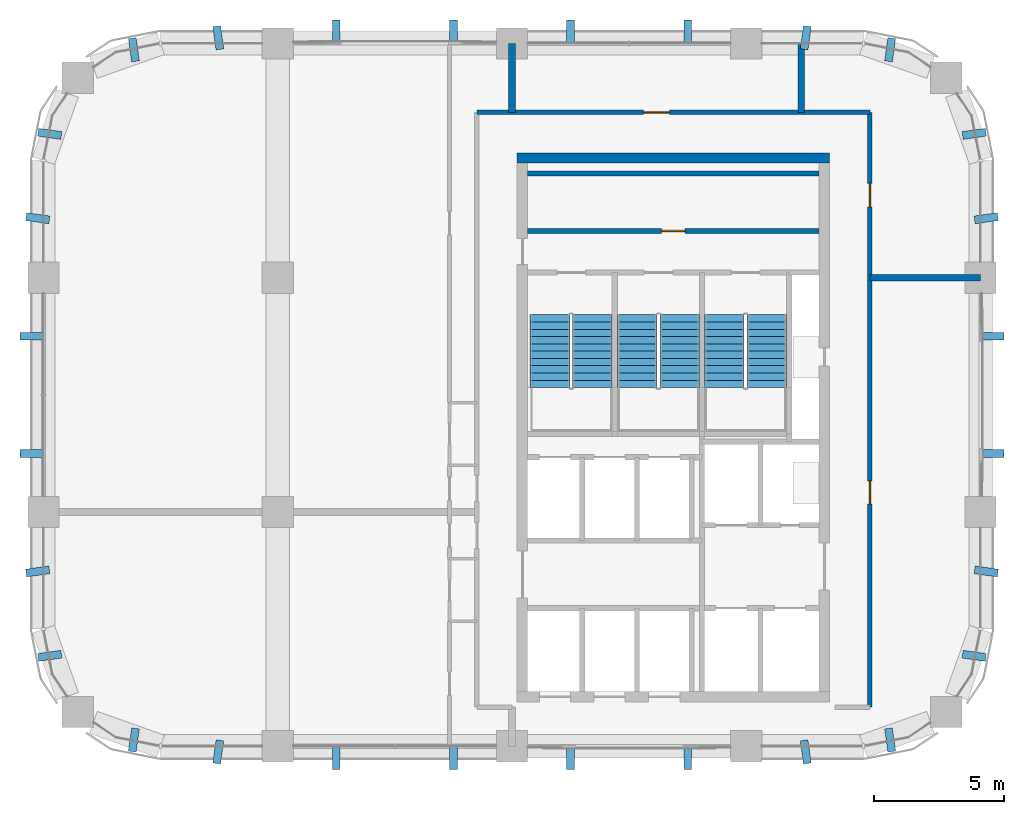
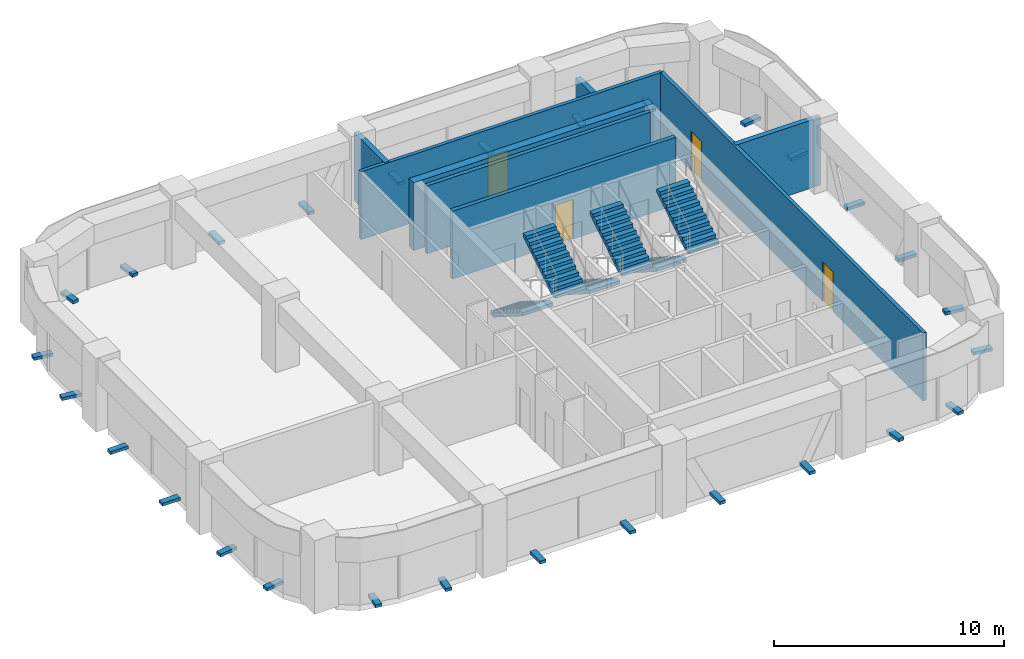
# One storey, part 8 of 9: 28 discrete accessories, 8 walls, 6 stair flights, 4 doors, 4 openings, 3 elements without a shape of their own.
"""IFC4 building model written with IfcOpenShell, lengths in metres."""

from ifc_helpers import new_model, si_unit, direction, frame, frame_2d, origin, origin_2d, place, context, subcontext, project, spatial, polyline, rectangle, outline, extrude, material, layer, layer_set, type_object, element, fill, aggregate, save


model = new_model("IFC4")

# Units and contexts
model_context = context("Model", 3, precision=1e-05, world=origin(), true_north=direction((0.0, 1.0)))
body_context = subcontext(model_context, "Body", "Model", "MODEL_VIEW")
ifc_project = project(units=[si_unit("LENGTHUNIT", "METRE"), si_unit("AREAUNIT", "SQUARE_METRE"), si_unit("VOLUMEUNIT", "CUBIC_METRE"), si_unit("PLANEANGLEUNIT", "RADIAN"), si_unit("MASSUNIT", "GRAM", prefix="KILO")], contexts=[model_context])

# Site, building, storey
site_placement = place(None, origin())
site = spatial("IfcSite", under=ifc_project, at=site_placement, CompositionType="ELEMENT")
building_placement = place(site_placement, origin())
building = spatial("IfcBuilding", under=site, at=building_placement, Name="Tessera Arch", CompositionType="ELEMENT")
storey_placement = place(building_placement, frame((0.0, 0.0, 277.39990234375)))
storey = spatial("IfcBuildingStorey", under=building, at=storey_placement, Name="L67", CompositionType="ELEMENT", Elevation=277.39990234375)

# Wall, opening, door
ifc_material_1 = material(Name="Gypsum board on steel stud", Category="steel")
ifc_layer_1 = layer(ifc_material_1, 0.125)
ifc_layer_set_1 = layer_set([ifc_layer_1], Name="Core partition 125 EI 60")
wall_type_1 = type_object("IfcWallType", Name="Core partition 125 EI 60", PredefinedType="PARTITIONING", material=ifc_layer_set_1)
wall_1_placement = place(storey_placement, frame((36.60009765625, 46.800048828125, 0.0), z_axis=(0.0, 0.0, 1.0), x_axis=(1.0, 0.0, 0.0)))
wall_1 = element("IfcWall", 1, at=wall_1_placement, inside=storey, type_object=wall_type_1, Name="L67 C1 partition wall 30", PredefinedType="PARTITIONING", context=body_context, shape_type="SweptSolid", body=[
    extrude(rectangle(XDim=11.199951171875, YDim=0.199951171875, at=frame_2d((5.60009765625, 0.0))), origin(), (0.0, 0.0, 1.0), 3.60009765625),
])
opening_1_placement = place(wall_1_placement, frame((5.14990234375, 0.0, 0.0)))
opening_1 = element("IfcOpeningElement", 2, at=opening_1_placement, cuts=wall_1, Name="Opening L67-C18", PredefinedType="OPENING", context=body_context, shape_type="SweptSolid", body=[
    extrude(rectangle(XDim=0.89990234375, YDim=2.10009765625, at=frame_2d((0.449951171875, 1.050048828125))), frame((0.0, 0.10986328125, 0.0), z_axis=(0.0, -1.0, 0.0), x_axis=(1.0, 0.0, 0.0)), (0.0, 0.0, 1.0), 0.219970703125),
])
ifc_material_2 = material(Name="Steel door leaf", Category="steel")
door_type_1 = type_object("IfcDoorType", Name="Store door FD30S 900 x 2100", OperationType="SINGLE_SWING_LEFT", PredefinedType="DOOR", material=ifc_material_2)
door_1_placement = place(opening_1_placement, origin())
door_1 = element("IfcDoor", 3, at=door_1_placement, inside=storey, type_object=door_type_1, Name="L67 C1 door 18 C18 type D09", OperationType="SINGLE_SWING_RIGHT", OverallHeight=2.10009765625, OverallWidth=0.89990234375, PredefinedType="DOOR", context=body_context, shape_type="SweptSolid", body=[
    extrude(rectangle(XDim=0.89990234375, YDim=2.10009765625, at=frame_2d((0.449951171875, 1.050048828125))), frame((0.0, 0.02490234375, 0.0), z_axis=(0.0, -1.0, 0.0), x_axis=(1.0, 0.0, 0.0)), (0.0, 0.0, 1.0), 0.050048828125),
])
fill(opening_1, door_1)

# Walls
wall_2_placement = place(storey_placement, frame((36.60009765625, 49.0, 0.0), z_axis=(0.0, 0.0, 1.0), x_axis=(1.0, 0.0, 0.0)))
element("IfcWall", 4, at=wall_2_placement, inside=storey, type_object=wall_type_1, Name="L67 C1 partition wall 31", PredefinedType="PARTITIONING", context=body_context, shape_type="SweptSolid", body=[
    extrude(rectangle(XDim=11.199951171875, YDim=0.199951171875, at=frame_2d((5.60009765625, 0.0))), origin(), (0.0, 0.0, 1.0), 3.60009765625),
])
ifc_material_3 = material(Name="Concrete C50/60", Category="concrete")
ifc_layer_2 = layer(ifc_material_3, 0.39990234375)
ifc_layer_set_2 = layer_set([ifc_layer_2], Name="Core shell wall 400 C50-60")
wall_type_2 = type_object("IfcWallType", Name="Core shell wall 400 C50-60", PredefinedType="SHEAR", material=ifc_layer_set_2)
wall_3_placement = place(storey_placement, frame((36.199951171875, 49.60009765625, 0.0), z_axis=(0.0, 0.0, 1.0), x_axis=(1.0, 0.0, 0.0)))
element("IfcWall", 5, at=wall_3_placement, inside=storey, type_object=wall_type_2, Name="L67 C1 core wall N", PredefinedType="SHEAR", context=body_context, shape_type="SweptSolid", body=[
    extrude(rectangle(XDim=12.0, YDim=0.39990234375, at=frame_2d((6.0, 0.0))), origin(), (0.0, 0.0, 1.0), 3.60009765625),
])

# Wall, opening, door
ifc_material_4 = material(Name="Gypsum board on deep steel stud with mineral wool", Category="steel")
ifc_layer_3 = layer(ifc_material_4, 0.175048828125)
ifc_layer_set_3 = layer_set([ifc_layer_3], Name="Corridor wall 175 EI 60")
wall_type_3 = type_object("IfcWallType", Name="Corridor wall 175 EI 60", PredefinedType="PARTITIONING", material=ifc_layer_set_3)
wall_4_placement = place(storey_placement, frame((34.64990234375, 51.35009765625, 0.0), z_axis=(0.0, 0.0, 1.0), x_axis=(1.0, 0.0, 0.0)))
wall_4 = element("IfcWall", 6, at=wall_4_placement, inside=storey, type_object=wall_type_3, Name="L67 partition 3", PredefinedType="PARTITIONING", context=body_context, shape_type="SweptSolid", body=[
    extrude(rectangle(XDim=15.10009765625, YDim=0.175048828125, at=frame_2d((7.550048828125, 0.0))), origin(), (0.0, 0.0, 1.0), 3.60009765625),
])
opening_2_placement = place(wall_4_placement, frame((6.40673828125, 0.0, 0.0)))
opening_2 = element("IfcOpeningElement", 7, at=opening_2_placement, cuts=wall_4, Name="Opening L67-D011", PredefinedType="OPENING", context=body_context, shape_type="SweptSolid", body=[
    extrude(rectangle(XDim=1.0, YDim=2.10009765625, at=frame_2d((0.5, 1.050048828125))), frame((0.0, 0.097412109375, 0.0), z_axis=(0.0, -1.0, 0.0), x_axis=(1.0, 0.0, 0.0)), (0.0, 0.0, 1.0), 0.195068359375),
])
ifc_material_5 = material(Name="Fire-rated door leaf")
door_type_2 = type_object("IfcDoorType", Name="Entrance door FD30S 1000 x 2100", OperationType="SINGLE_SWING_LEFT", PredefinedType="DOOR", material=ifc_material_5)
door_2_placement = place(opening_2_placement, origin())
door_2 = element("IfcDoor", 8, at=door_2_placement, inside=storey, type_object=door_type_2, Name="L67 door D011 type D03", OperationType="SINGLE_SWING_LEFT", OverallHeight=2.10009765625, OverallWidth=1.0, PredefinedType="DOOR", context=body_context, shape_type="SweptSolid", body=[
    extrude(rectangle(XDim=1.0, YDim=2.10009765625, at=frame_2d((0.5, 1.050048828125))), frame((0.0, 0.02490234375, 0.0), z_axis=(0.0, -1.0, 0.0), x_axis=(1.0, 0.0, 0.0)), (0.0, 0.0, 1.0), 0.050048828125),
])
fill(opening_2, door_2)

# Wall, openings, doors
wall_5_placement = place(storey_placement, frame((49.75, 28.5, 0.0), z_axis=(0.0, 0.0, 1.0), x_axis=(0.0, 1.0, 0.0)))
wall_5 = element("IfcWall", 9, at=wall_5_placement, inside=storey, type_object=wall_type_3, Name="L67 partition 5", PredefinedType="PARTITIONING", context=body_context, shape_type="SweptSolid", body=[
    extrude(rectangle(XDim=22.85009765625, YDim=0.175048828125, at=frame_2d((11.425048828125, 0.0))), origin(), (0.0, 0.0, 1.0), 3.60009765625),
])
opening_3_placement = place(wall_5_placement, frame((7.800048828125, 0.0, 0.0)))
opening_3 = element("IfcOpeningElement", 10, at=opening_3_placement, cuts=wall_5, Name="Opening L67-D005", PredefinedType="OPENING", context=body_context, shape_type="SweptSolid", body=[
    extrude(rectangle(XDim=0.89990234375, YDim=2.10009765625, at=frame_2d((0.449951171875, 1.050048828125))), frame((0.0, 0.097412109375, 0.0), z_axis=(0.0, -1.0, 0.0), x_axis=(1.0, 0.0, 0.0)), (0.0, 0.0, 1.0), 0.195068359375),
])
opening_4_placement = place(wall_5_placement, frame((19.22509765625, 0.0, 0.0)))
opening_4 = element("IfcOpeningElement", 11, at=opening_4_placement, cuts=wall_5, Name="Opening L67-D010", PredefinedType="OPENING", context=body_context, shape_type="SweptSolid", body=[
    extrude(rectangle(XDim=0.89990234375, YDim=2.10009765625, at=frame_2d((0.449951171875, 1.050048828125))), frame((0.0, 0.097412109375, 0.0), z_axis=(0.0, -1.0, 0.0), x_axis=(1.0, 0.0, 0.0)), (0.0, 0.0, 1.0), 0.195068359375),
])
ifc_material_6 = material(Name="Timber door leaf", Category="wood")
door_type_3 = type_object("IfcDoorType", Name="Room door 900 x 2100", OperationType="SINGLE_SWING_LEFT", PredefinedType="DOOR", material=ifc_material_6)
door_3_placement = place(opening_3_placement, origin())
door_3 = element("IfcDoor", 12, at=door_3_placement, inside=storey, type_object=door_type_3, Name="L67 door D005 type D01", OperationType="SINGLE_SWING_LEFT", OverallHeight=2.10009765625, OverallWidth=0.89990234375, PredefinedType="DOOR", context=body_context, shape_type="SweptSolid", body=[
    extrude(rectangle(XDim=0.89990234375, YDim=2.10009765625, at=frame_2d((0.449951171875, 1.050048828125))), frame((0.0, 0.02490234375, 0.0), z_axis=(0.0, -1.0, 0.0), x_axis=(1.0, 0.0, 0.0)), (0.0, 0.0, 1.0), 0.050048828125),
])
fill(opening_3, door_3)
door_4_placement = place(opening_4_placement, origin())
door_4 = element("IfcDoor", 13, at=door_4_placement, inside=storey, type_object=door_type_3, Name="L67 door D010 type D01", OperationType="SINGLE_SWING_LEFT", OverallHeight=2.10009765625, OverallWidth=0.89990234375, PredefinedType="DOOR", context=body_context, shape_type="SweptSolid", body=[
    extrude(rectangle(XDim=0.89990234375, YDim=2.10009765625, at=frame_2d((0.449951171875, 1.050048828125))), frame((0.0, 0.02490234375, 0.0), z_axis=(0.0, -1.0, 0.0), x_axis=(1.0, 0.0, 0.0)), (0.0, 0.0, 1.0), 0.050048828125),
])
fill(opening_4, door_4)

# Walls
ifc_material_7 = material(Name="Double gypsum board on twin steel stud with acoustic mineral wool", Category="steel")
ifc_layer_4 = layer(ifc_material_7, 0.25)
ifc_layer_set_4 = layer_set([ifc_layer_4], Name="Party wall 250 EI 60")
wall_type_4 = type_object("IfcWallType", Name="Party wall 250 EI 60", PredefinedType="PARTITIONING", material=ifc_layer_set_4)
wall_6_placement = place(storey_placement, frame((49.75, 45.0, 0.0), z_axis=(0.0, 0.0, 1.0), x_axis=(1.0, 0.0, 0.0)))
element("IfcWall", 14, at=wall_6_placement, inside=storey, type_object=wall_type_4, Name="L67 partition 10", PredefinedType="PARTITIONING", context=body_context, shape_type="SweptSolid", body=[
    extrude(rectangle(XDim=4.25, YDim=0.25, at=frame_2d((2.125, 0.0))), origin(), (0.0, 0.0, 1.0), 3.60009765625),
])
wall_7_placement = place(storey_placement, frame((36.0, 51.35009765625, 0.0), z_axis=(0.0, 0.0, 1.0), x_axis=(0.0, 1.0, 0.0)))
element("IfcWall", 15, at=wall_7_placement, inside=storey, type_object=wall_type_4, Name="L67 partition 12", PredefinedType="PARTITIONING", context=body_context, shape_type="SweptSolid", body=[
    extrude(rectangle(XDim=2.64990234375, YDim=0.25, at=frame_2d((1.324951171875, 0.0))), origin(), (0.0, 0.0, 1.0), 3.60009765625),
])
wall_8_placement = place(storey_placement, frame((47.114013671875, 51.35009765625, 0.0), z_axis=(0.0, 0.0, 1.0), x_axis=(0.0, 1.0, 0.0)))
element("IfcWall", 16, at=wall_8_placement, inside=storey, type_object=wall_type_4, Name="L67 partition 13", PredefinedType="PARTITIONING", context=body_context, shape_type="SweptSolid", body=[
    extrude(rectangle(XDim=2.64990234375, YDim=0.25, at=frame_2d((1.324951171875, 0.0))), origin(), (0.0, 0.0, 1.0), 2.60009765625),
])

# Stair, stair flights
ifc_material_8 = material(Name="Concrete C40/50", Category="concrete")
stair_type = type_object("IfcStairType", Name="Dogleg stair 1520", PredefinedType="HALF_TURN_STAIR", material=ifc_material_8)
stair_1_placement = place(storey_placement, origin())
stair_1 = element("IfcStair", 17, at=stair_1_placement, inside=storey, type_object=stair_type, Name="L67 S1a", PredefinedType="HALF_TURN_STAIR")
ifc_material_9 = material(Name="Concrete C40/50", Category="concrete")
stair_flight_type = type_object("IfcStairFlightType", Name="Stair flight 1520", PredefinedType="STRAIGHT", material=ifc_material_9)
stair_flight_1_placement = place(storey_placement, frame((37.4599609375, 43.580078125, 0.0), z_axis=(0.0, 0.0, 1.0), x_axis=(0.0, -1.0, 0.0)))
stair_flight_1 = element("IfcStairFlight", 18, at=stair_flight_1_placement, type_object=stair_flight_type, Name="S1a flight 1", NumberOfRisers=11, NumberOfTreads=10, PredefinedType="STRAIGHT", RiserHeight=0.177272727, TreadLength=0.28, context=body_context, shape_type="SweptSolid", body=[
    extrude(outline(polyline([(0.0, 0.0), (0.0, 0.17724609375), (0.280029296875, 0.17724609375), (0.280029296875, 0.3544921875), (0.56005859375, 0.3544921875), (0.56005859375, 0.53173828125), (0.840087890625, 0.53173828125), (0.840087890625, 0.708984375), (1.1201171875, 0.708984375), (1.1201171875, 0.886474609375), (1.39990234375, 0.886474609375), (1.39990234375, 1.063720703125), (1.679931640625, 1.063720703125), (1.679931640625, 1.240966796875), (1.9599609375, 1.240966796875), (1.9599609375, 1.418212890625), (2.239990234375, 1.418212890625), (2.239990234375, 1.595458984375), (2.52001953125, 1.595458984375), (2.52001953125, 1.772705078125), (2.800048828125, 1.772705078125), (2.800048828125, 1.949951171875), (2.800048828125, 1.59521484375), (0.2802734375, 0.0), (0.0, 0.0)])), frame((0.0, 0.760009765625, 0.0), z_axis=(0.0, -1.0, 0.0), x_axis=(1.0, 0.0, 0.0)), (0.0, 0.0, 1.0), 1.52001953125),
])
stair_flight_2_placement = place(storey_placement, frame((39.090087890625, 40.780029296875, 1.9501953125), z_axis=(0.0, 0.0, 1.0), x_axis=(0.0, 1.0, 0.0)))
stair_flight_2 = element("IfcStairFlight", 19, at=stair_flight_2_placement, type_object=stair_flight_type, Name="S1a flight 2", NumberOfRisers=11, NumberOfTreads=10, PredefinedType="STRAIGHT", RiserHeight=0.177272727, TreadLength=0.28, context=body_context, shape_type="SweptSolid", body=[
    extrude(outline(polyline([(0.0, 0.0), (0.0, 0.17724609375), (0.280029296875, 0.17724609375), (0.280029296875, 0.3544921875), (0.56005859375, 0.3544921875), (0.56005859375, 0.53173828125), (0.840087890625, 0.53173828125), (0.840087890625, 0.708984375), (1.1201171875, 0.708984375), (1.1201171875, 0.886474609375), (1.39990234375, 0.886474609375), (1.39990234375, 1.063720703125), (1.679931640625, 1.063720703125), (1.679931640625, 1.240966796875), (1.9599609375, 1.240966796875), (1.9599609375, 1.418212890625), (2.239990234375, 1.418212890625), (2.239990234375, 1.595458984375), (2.52001953125, 1.595458984375), (2.52001953125, 1.772705078125), (2.800048828125, 1.772705078125), (2.800048828125, 1.949951171875), (2.800048828125, 1.59521484375), (0.2802734375, 0.0), (0.0, 0.0)])), frame((0.0, 0.760009765625, 0.0), z_axis=(0.0, -1.0, 0.0), x_axis=(1.0, 0.0, 0.0)), (0.0, 0.0, 1.0), 1.52001953125),
])
aggregate(stair_1, [stair_flight_1, stair_flight_2])

stair_2_placement = place(storey_placement, origin())
stair_2 = element("IfcStair", 20, at=stair_2_placement, inside=storey, type_object=stair_type, Name="L67 S1b", PredefinedType="HALF_TURN_STAIR")
stair_flight_3_placement = place(storey_placement, frame((40.81005859375, 43.580078125, 0.0), z_axis=(0.0, 0.0, 1.0), x_axis=(0.0, -1.0, 0.0)))
stair_flight_3 = element("IfcStairFlight", 21, at=stair_flight_3_placement, type_object=stair_flight_type, Name="S1b flight 1", NumberOfRisers=11, NumberOfTreads=10, PredefinedType="STRAIGHT", RiserHeight=0.177272727, TreadLength=0.28, context=body_context, shape_type="SweptSolid", body=[
    extrude(outline(polyline([(0.0, 0.0), (0.0, 0.17724609375), (0.280029296875, 0.17724609375), (0.280029296875, 0.3544921875), (0.56005859375, 0.3544921875), (0.56005859375, 0.53173828125), (0.840087890625, 0.53173828125), (0.840087890625, 0.708984375), (1.1201171875, 0.708984375), (1.1201171875, 0.886474609375), (1.39990234375, 0.886474609375), (1.39990234375, 1.063720703125), (1.679931640625, 1.063720703125), (1.679931640625, 1.240966796875), (1.9599609375, 1.240966796875), (1.9599609375, 1.418212890625), (2.239990234375, 1.418212890625), (2.239990234375, 1.595458984375), (2.52001953125, 1.595458984375), (2.52001953125, 1.772705078125), (2.800048828125, 1.772705078125), (2.800048828125, 1.949951171875), (2.800048828125, 1.59521484375), (0.2802734375, 0.0), (0.0, 0.0)])), frame((0.0, 0.760009765625, 0.0), z_axis=(0.0, -1.0, 0.0), x_axis=(1.0, 0.0, 0.0)), (0.0, 0.0, 1.0), 1.52001953125),
])
stair_flight_4_placement = place(storey_placement, frame((42.43994140625, 40.780029296875, 1.9501953125), z_axis=(0.0, 0.0, 1.0), x_axis=(0.0, 1.0, 0.0)))
stair_flight_4 = element("IfcStairFlight", 22, at=stair_flight_4_placement, type_object=stair_flight_type, Name="S1b flight 2", NumberOfRisers=11, NumberOfTreads=10, PredefinedType="STRAIGHT", RiserHeight=0.177272727, TreadLength=0.28, context=body_context, shape_type="SweptSolid", body=[
    extrude(outline(polyline([(0.0, 0.0), (0.0, 0.17724609375), (0.280029296875, 0.17724609375), (0.280029296875, 0.3544921875), (0.56005859375, 0.3544921875), (0.56005859375, 0.53173828125), (0.840087890625, 0.53173828125), (0.840087890625, 0.708984375), (1.1201171875, 0.708984375), (1.1201171875, 0.886474609375), (1.39990234375, 0.886474609375), (1.39990234375, 1.063720703125), (1.679931640625, 1.063720703125), (1.679931640625, 1.240966796875), (1.9599609375, 1.240966796875), (1.9599609375, 1.418212890625), (2.239990234375, 1.418212890625), (2.239990234375, 1.595458984375), (2.52001953125, 1.595458984375), (2.52001953125, 1.772705078125), (2.800048828125, 1.772705078125), (2.800048828125, 1.949951171875), (2.800048828125, 1.59521484375), (0.2802734375, 0.0), (0.0, 0.0)])), frame((0.0, 0.760009765625, 0.0), z_axis=(0.0, -1.0, 0.0), x_axis=(1.0, 0.0, 0.0)), (0.0, 0.0, 1.0), 1.52001953125),
])
aggregate(stair_2, [stair_flight_3, stair_flight_4])

stair_3_placement = place(storey_placement, origin())
stair_3 = element("IfcStair", 23, at=stair_3_placement, inside=storey, type_object=stair_type, Name="L67 S1c", PredefinedType="HALF_TURN_STAIR")
stair_flight_5_placement = place(storey_placement, frame((44.159912109375, 43.580078125, 0.0), z_axis=(0.0, 0.0, 1.0), x_axis=(0.0, -1.0, 0.0)))
stair_flight_5 = element("IfcStairFlight", 24, at=stair_flight_5_placement, type_object=stair_flight_type, Name="S1c flight 1", NumberOfRisers=11, NumberOfTreads=10, PredefinedType="STRAIGHT", RiserHeight=0.177272727, TreadLength=0.28, context=body_context, shape_type="SweptSolid", body=[
    extrude(outline(polyline([(0.0, 0.0), (0.0, 0.17724609375), (0.280029296875, 0.17724609375), (0.280029296875, 0.3544921875), (0.56005859375, 0.3544921875), (0.56005859375, 0.53173828125), (0.840087890625, 0.53173828125), (0.840087890625, 0.708984375), (1.1201171875, 0.708984375), (1.1201171875, 0.886474609375), (1.39990234375, 0.886474609375), (1.39990234375, 1.063720703125), (1.679931640625, 1.063720703125), (1.679931640625, 1.240966796875), (1.9599609375, 1.240966796875), (1.9599609375, 1.418212890625), (2.239990234375, 1.418212890625), (2.239990234375, 1.595458984375), (2.52001953125, 1.595458984375), (2.52001953125, 1.772705078125), (2.800048828125, 1.772705078125), (2.800048828125, 1.949951171875), (2.800048828125, 1.59521484375), (0.2802734375, 0.0), (0.0, 0.0)])), frame((0.0, 0.760009765625, 0.0), z_axis=(0.0, -1.0, 0.0), x_axis=(1.0, 0.0, 0.0)), (0.0, 0.0, 1.0), 1.52001953125),
])
stair_flight_6_placement = place(storey_placement, frame((45.7900390625, 40.780029296875, 1.9501953125), z_axis=(0.0, 0.0, 1.0), x_axis=(0.0, 1.0, 0.0)))
stair_flight_6 = element("IfcStairFlight", 25, at=stair_flight_6_placement, type_object=stair_flight_type, Name="S1c flight 2", NumberOfRisers=11, NumberOfTreads=10, PredefinedType="STRAIGHT", RiserHeight=0.177272727, TreadLength=0.28, context=body_context, shape_type="SweptSolid", body=[
    extrude(outline(polyline([(0.0, 0.0), (0.0, 0.17724609375), (0.280029296875, 0.17724609375), (0.280029296875, 0.3544921875), (0.56005859375, 0.3544921875), (0.56005859375, 0.53173828125), (0.840087890625, 0.53173828125), (0.840087890625, 0.708984375), (1.1201171875, 0.708984375), (1.1201171875, 0.886474609375), (1.39990234375, 0.886474609375), (1.39990234375, 1.063720703125), (1.679931640625, 1.063720703125), (1.679931640625, 1.240966796875), (1.9599609375, 1.240966796875), (1.9599609375, 1.418212890625), (2.239990234375, 1.418212890625), (2.239990234375, 1.595458984375), (2.52001953125, 1.595458984375), (2.52001953125, 1.772705078125), (2.800048828125, 1.772705078125), (2.800048828125, 1.949951171875), (2.800048828125, 1.59521484375), (0.2802734375, 0.0), (0.0, 0.0)])), frame((0.0, 0.760009765625, 0.0), z_axis=(0.0, -1.0, 0.0), x_axis=(1.0, 0.0, 0.0)), (0.0, 0.0, 1.0), 1.52001953125),
])
aggregate(stair_3, [stair_flight_5, stair_flight_6])

# Discrete accessories
for number, where, z_axis, x_axis, name in (
    (26, (54.449951171875, 38.25, 0.0), (0.0, 0.0, 1.0), (1.0, 0.0, 0.0), "Screen panel bracket"),
    (27, (54.449951171875, 42.75, 0.0), (0.0, 0.0, 1.0), (1.0, 0.0, 0.0), "Screen panel bracket"),
    (28, (54.21630859375, 47.283447265625, 0.0), (0.0, 0.0, 1.0), (0.99013890656, 0.140089063515, 0.0), "Screen panel bracket"),
    (29, (53.7578125, 50.5244140625, 0.0), (0.0, 0.0, 1.0), (0.99013890656, 0.140089063515, 0.0), "Screen panel bracket"),
    (30, (50.5244140625, 53.7578125, 0.0), (0.0, 0.0, 1.0), (0.140089063515, 0.99013890656, 0.0), "Screen panel bracket"),
    (31, (47.283447265625, 54.21630859375, 0.0), (0.0, 0.0, 1.0), (0.140089063515, 0.99013890656, 0.0), "Screen panel bracket"),
    (32, (42.75, 54.449951171875, 0.0), (0.0, 0.0, 1.0), (0.0, 1.0, 0.0), "Screen panel bracket"),
    (33, (38.25, 54.449951171875, 0.0), (0.0, 0.0, 1.0), (0.0, 1.0, 0.0), "Screen panel bracket"),
    (34, (33.75, 54.449951171875, 0.0), (0.0, 0.0, 1.0), (0.0, 1.0, 0.0), "Screen panel bracket"),
    (35, (29.25, 54.449951171875, 0.0), (0.0, 0.0, 1.0), (0.0, 1.0, 0.0), "Screen panel bracket"),
    (36, (24.716552734375, 54.21630859375, 0.0), (0.0, 0.0, 1.0), (-0.140089063515, 0.99013890656, 0.0), "Screen panel bracket"),
    (37, (21.4755859375, 53.7578125, 0.0), (0.0, 0.0, 1.0), (-0.140089063515, 0.99013890656, 0.0), "Screen panel bracket"),
    (38, (18.2421875, 50.5244140625, 0.0), (0.0, 0.0, 1.0), (-0.99013890656, 0.140089063515, 0.0), "Screen panel bracket"),
    (39, (17.78369140625, 47.283447265625, 0.0), (0.0, 0.0, 1.0), (-0.99013890656, 0.140089063515, 0.0), "Screen panel bracket"),
    (40, (17.550048828125, 42.75, 0.0), (0.0, 0.0, 1.0), (-1.0, 0.0, 0.0), "Screen panel bracket"),
    (41, (17.550048828125, 38.25, 0.0), (0.0, 0.0, 1.0), (-1.0, 0.0, 0.0), "Screen panel bracket"),
    (42, (17.78369140625, 33.716552734375, 0.0), (0.0, 0.0, 1.0), (-0.99013890656, -0.140089063515, 0.0), "Screen panel bracket"),
    (43, (18.2421875, 30.4755859375, 0.0), (0.0, 0.0, 1.0), (-0.99013890656, -0.140089063515, 0.0), "Screen panel bracket"),
    (44, (21.4755859375, 27.2421875, 0.0), (0.0, 0.0, 1.0), (-0.140089063515, -0.99013890656, 0.0), "Screen panel bracket"),
    (45, (24.716552734375, 26.78369140625, 0.0), (0.0, 0.0, 1.0), (-0.140089063515, -0.99013890656, 0.0), "Screen panel bracket"),
    (46, (29.25, 26.550048828125, 0.0), (0.0, 0.0, 1.0), (0.0, -1.0, 0.0), "Screen panel bracket"),
    (47, (33.75, 26.550048828125, 0.0), (0.0, 0.0, 1.0), (0.0, -1.0, 0.0), "Screen panel bracket"),
    (48, (38.25, 26.550048828125, 0.0), (0.0, 0.0, 1.0), (0.0, -1.0, 0.0), "Screen panel bracket"),
    (49, (42.75, 26.550048828125, 0.0), (0.0, 0.0, 1.0), (0.0, -1.0, 0.0), "Screen panel bracket"),
    (50, (47.283447265625, 26.78369140625, 0.0), (0.0, 0.0, 1.0), (0.140089063515, -0.99013890656, 0.0), "Screen panel bracket"),
    (51, (50.5244140625, 27.2421875, 0.0), (0.0, 0.0, 1.0), (0.140089063515, -0.99013890656, 0.0), "Screen panel bracket"),
    (52, (53.7578125, 30.4755859375, 0.0), (0.0, 0.0, 1.0), (0.99013890656, -0.140089063515, 0.0), "Screen panel bracket"),
    (53, (54.21630859375, 33.716552734375, 0.0), (0.0, 0.0, 1.0), (0.99013890656, -0.140089063515, 0.0), "Screen panel bracket"),
):
    element("IfcDiscreteAccessory", number, at=place(storey_placement, frame(where, z_axis=z_axis, x_axis=x_axis)), inside=storey, Name=name, PredefinedType="BRACKET", context=body_context, shape_type="SweptSolid", body=[
        extrude(rectangle(XDim=0.89990234375, YDim=0.300048828125, at=origin_2d()), origin(), (0.0, 0.0, 1.0), 0.159912109375),
    ])

save(model, "model.ifc")
